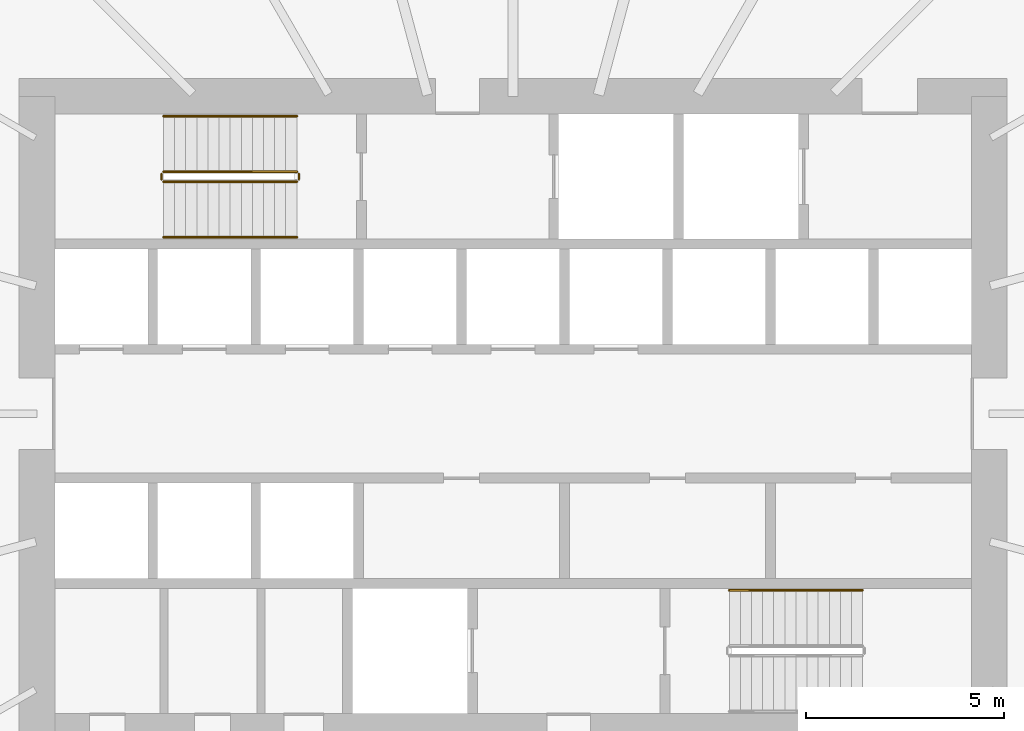
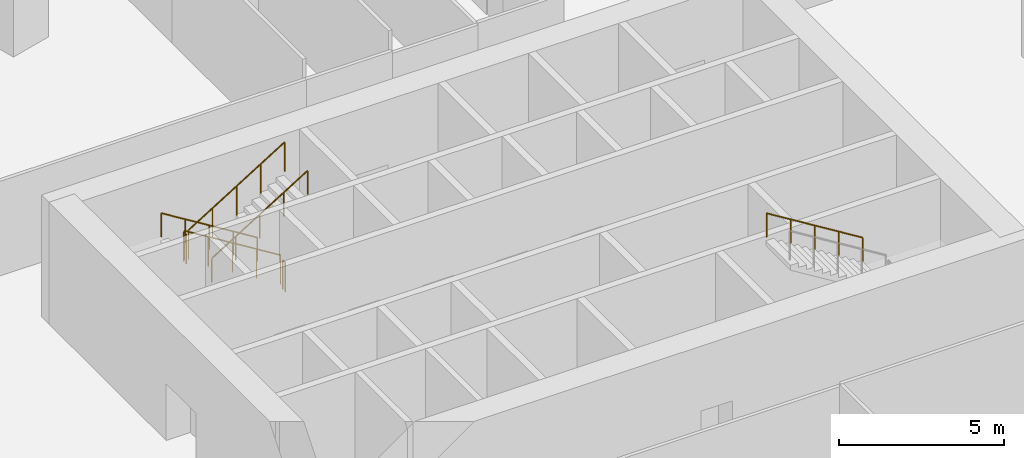
# One storey, part 54 of 56: 7 railings.
"""IFC4 building model written with IfcOpenShell, lengths in metres."""

from ifc_helpers import new_model, si_unit, direction, frame, origin, origin_2d, place, context, subcontext, project, spatial, circle, extrude, material, type_object, element, save


model = new_model("IFC4")

# Units and contexts
model_context = context("Model", 3, precision=1e-05, world=origin(), true_north=direction((0.0, 1.0)))
body_context = subcontext(model_context, "Body", "Model", "MODEL_VIEW")
ifc_project = project(units=[si_unit("LENGTHUNIT", "METRE"), si_unit("AREAUNIT", "SQUARE_METRE"), si_unit("VOLUMEUNIT", "CUBIC_METRE"), si_unit("PLANEANGLEUNIT", "RADIAN"), si_unit("MASSUNIT", "GRAM", prefix="KILO")], contexts=[model_context])

# Site, building, storey
site_placement = place(None, origin())
site = spatial("IfcSite", under=ifc_project, at=site_placement, CompositionType="ELEMENT")
building_placement = place(site_placement, origin())
building = spatial("IfcBuilding", under=site, at=building_placement, Name="Rimbun Link Towers", CompositionType="ELEMENT")
storey_placement = place(building_placement, frame((0.0, 0.0, 16.5)))
storey = spatial("IfcBuildingStorey", under=building, at=storey_placement, Name="L03", CompositionType="ELEMENT", Elevation=16.5)

# Railings
ifc_material_1 = material(Name="Stainless steel grade 316", Category="steel")
railing_type_1 = type_object("IfcRailingType", Name="Stair guard", PredefinedType="GUARDRAIL", material=ifc_material_1)
railing_1_placement = place(storey_placement, frame((26.300048828125, 6.10009765625, 0.173095703125)))
element("IfcRailing", 1, at=railing_1_placement, inside=storey, type_object=railing_type_1, Name="L03 ST3 stair guard 1", PredefinedType="GUARDRAIL", context=body_context, shape_type="SweptSolid", body=[
    extrude(circle(Radius=0.02392578125, at=origin_2d()), frame((0.0, 0.0, 1.076171875), z_axis=(-0.850623216509, 0.0, 0.525775754039), x_axis=(0.0, -1.0, 0.0)), (0.0, 0.0, 1.0), 3.9501953125),
    extrude(circle(Radius=0.02099609375, at=origin_2d()), origin(), (0.0, 0.0, 1.0), 1.052001953125),
    extrude(circle(Radius=0.02099609375, at=origin_2d()), frame((-0.840087890625, 0.0, 0.519287109375)), (0.0, 0.0, 1.0), 1.052001953125),
    extrude(circle(Radius=0.02099609375, at=origin_2d()), frame((-1.68017578125, 0.0, 1.03857421875)), (0.0, 0.0, 1.0), 1.052001953125),
    extrude(circle(Radius=0.02099609375, at=origin_2d()), frame((-2.52001953125, 0.0, 1.5576171875)), (0.0, 0.0, 1.0), 1.052001953125),
    extrude(circle(Radius=0.02099609375, at=origin_2d()), frame((-3.360107421875, 0.0, 2.076904296875)), (0.0, 0.0, 1.0), 1.052001953125),
])
railing_2_placement = place(storey_placement, frame((22.889892578125, 6.050048828125, 2.25)))
element("IfcRailing", 2, at=railing_2_placement, inside=storey, type_object=railing_type_1, Name="L03 ST3 stair guard 2", PredefinedType="GUARDRAIL", context=body_context, shape_type="SweptSolid", body=[
    extrude(circle(Radius=0.02392578125, at=origin_2d()), frame((0.0, 0.0, 1.076171875), z_axis=(0.0, -1.0, 0.0), x_axis=(1.0, 0.0, 0.0)), (0.0, 0.0, 1.0), 0.150146484375),
    extrude(circle(Radius=0.02099609375, at=origin_2d()), origin(), (0.0, 0.0, 1.0), 1.052001953125),
    extrude(circle(Radius=0.02099609375, at=origin_2d()), frame((0.0, -0.150146484375, 0.0)), (0.0, 0.0, 1.0), 1.052001953125),
])
railing_3_placement = place(storey_placement, frame((22.93994140625, 5.85009765625, 2.423095703125)))
element("IfcRailing", 3, at=railing_3_placement, inside=storey, type_object=railing_type_1, Name="L03 ST3 stair guard 3", PredefinedType="GUARDRAIL", context=body_context, shape_type="SweptSolid", body=[
    extrude(circle(Radius=0.02392578125, at=origin_2d()), frame((0.0, 0.0, 1.076171875), z_axis=(0.850623216509, 0.0, 0.525775754039), x_axis=(0.0, 1.0, 0.0)), (0.0, 0.0, 1.0), 3.9501953125),
    extrude(circle(Radius=0.02099609375, at=origin_2d()), origin(), (0.0, 0.0, 1.0), 1.052001953125),
    extrude(circle(Radius=0.02099609375, at=origin_2d()), frame((0.840087890625, 0.0, 0.519287109375)), (0.0, 0.0, 1.0), 1.052001953125),
    extrude(circle(Radius=0.02099609375, at=origin_2d()), frame((1.68017578125, 0.0, 1.03857421875)), (0.0, 0.0, 1.0), 1.052001953125),
    extrude(circle(Radius=0.02099609375, at=origin_2d()), frame((2.52001953125, 0.0, 1.5576171875)), (0.0, 0.0, 1.0), 1.052001953125),
    extrude(circle(Radius=0.02099609375, at=origin_2d()), frame((3.360107421875, 0.0, 2.076904296875)), (0.0, 0.0, 1.0), 1.052001953125),
])
railing_4_placement = place(storey_placement, frame((26.35009765625, 6.050048828125, 0.0)))
element("IfcRailing", 4, at=railing_4_placement, inside=storey, type_object=railing_type_1, Name="L03 ST3 stair guard 4", PredefinedType="GUARDRAIL", context=body_context, shape_type="SweptSolid", body=[
    extrude(circle(Radius=0.02392578125, at=origin_2d()), frame((0.0, 0.0, 1.076171875), z_axis=(0.0, -1.0, 0.0), x_axis=(1.0, 0.0, 0.0)), (0.0, 0.0, 1.0), 0.150146484375),
    extrude(circle(Radius=0.02099609375, at=origin_2d()), origin(), (0.0, 0.0, 1.0), 1.052001953125),
    extrude(circle(Radius=0.02099609375, at=origin_2d()), frame((0.0, -0.150146484375, 0.0)), (0.0, 0.0, 1.0), 1.052001953125),
])
ifc_material_2 = material(Name="Stainless steel grade 316", Category="steel")
railing_type_2 = type_object("IfcRailingType", Name="Stair handrail", PredefinedType="HANDRAIL", material=ifc_material_2)
railing_5_placement = place(storey_placement, frame((26.300048828125, 7.5, 0.173095703125)))
element("IfcRailing", 5, at=railing_5_placement, inside=storey, type_object=railing_type_2, Name="L03 ST3 stair handrail 1", PredefinedType="HANDRAIL", context=body_context, shape_type="SweptSolid", body=[
    extrude(circle(Radius=0.02392578125, at=origin_2d()), frame((0.0, 0.0, 0.8759765625), z_axis=(-0.850623216509, 0.0, 0.525775754039), x_axis=(0.0, -1.0, 0.0)), (0.0, 0.0, 1.0), 3.9501953125),
    extrude(circle(Radius=0.02099609375, at=origin_2d()), origin(), (0.0, 0.0, 1.0), 0.851806640625),
    extrude(circle(Radius=0.02099609375, at=origin_2d()), frame((-0.840087890625, 0.0, 0.519287109375)), (0.0, 0.0, 1.0), 0.851806640625),
    extrude(circle(Radius=0.02099609375, at=origin_2d()), frame((-1.68017578125, 0.0, 1.03857421875)), (0.0, 0.0, 1.0), 0.851806640625),
    extrude(circle(Radius=0.02099609375, at=origin_2d()), frame((-2.52001953125, 0.0, 1.5576171875)), (0.0, 0.0, 1.0), 0.851806640625),
    extrude(circle(Radius=0.02099609375, at=origin_2d()), frame((-3.360107421875, 0.0, 2.076904296875)), (0.0, 0.0, 1.0), 0.851806640625),
])
railing_6_placement = place(storey_placement, frame((22.93994140625, 4.449951171875, 2.423095703125)))
element("IfcRailing", 6, at=railing_6_placement, inside=storey, type_object=railing_type_2, Name="L03 ST3 stair handrail 2", PredefinedType="HANDRAIL", context=body_context, shape_type="SweptSolid", body=[
    extrude(circle(Radius=0.02392578125, at=origin_2d()), frame((0.0, 0.0, 0.8759765625), z_axis=(0.850623216509, 0.0, 0.525775754039), x_axis=(0.0, 1.0, 0.0)), (0.0, 0.0, 1.0), 3.9501953125),
    extrude(circle(Radius=0.02099609375, at=origin_2d()), origin(), (0.0, 0.0, 1.0), 0.851806640625),
    extrude(circle(Radius=0.02099609375, at=origin_2d()), frame((0.840087890625, 0.0, 0.519287109375)), (0.0, 0.0, 1.0), 0.851806640625),
    extrude(circle(Radius=0.02099609375, at=origin_2d()), frame((1.68017578125, 0.0, 1.03857421875)), (0.0, 0.0, 1.0), 0.851806640625),
    extrude(circle(Radius=0.02099609375, at=origin_2d()), frame((2.52001953125, 0.0, 1.5576171875)), (0.0, 0.0, 1.0), 0.851806640625),
    extrude(circle(Radius=0.02099609375, at=origin_2d()), frame((3.360107421875, 0.0, 2.076904296875)), (0.0, 0.0, 1.0), 0.851806640625),
])
railing_7_placement = place(storey_placement, frame((40.56005859375, -4.449951171875, 2.423095703125)))
element("IfcRailing", 7, at=railing_7_placement, inside=storey, type_object=railing_type_2, Name="L03 ST4 stair handrail 2", PredefinedType="HANDRAIL", context=body_context, shape_type="SweptSolid", body=[
    extrude(circle(Radius=0.02392578125, at=origin_2d()), frame((0.0, 0.0, 0.8759765625), z_axis=(-0.850623216509, 0.0, 0.525775754039), x_axis=(0.0, -1.0, 0.0)), (0.0, 0.0, 1.0), 3.9501953125),
    extrude(circle(Radius=0.02099609375, at=origin_2d()), origin(), (0.0, 0.0, 1.0), 0.851806640625),
    extrude(circle(Radius=0.02099609375, at=origin_2d()), frame((-0.840087890625, 0.0, 0.519287109375)), (0.0, 0.0, 1.0), 0.851806640625),
    extrude(circle(Radius=0.02099609375, at=origin_2d()), frame((-1.68017578125, 0.0, 1.03857421875)), (0.0, 0.0, 1.0), 0.851806640625),
    extrude(circle(Radius=0.02099609375, at=origin_2d()), frame((-2.52001953125, 0.0, 1.5576171875)), (0.0, 0.0, 1.0), 0.851806640625),
    extrude(circle(Radius=0.02099609375, at=origin_2d()), frame((-3.360107421875, 0.0, 2.076904296875)), (0.0, 0.0, 1.0), 0.851806640625),
])

save(model, "model.ifc")
